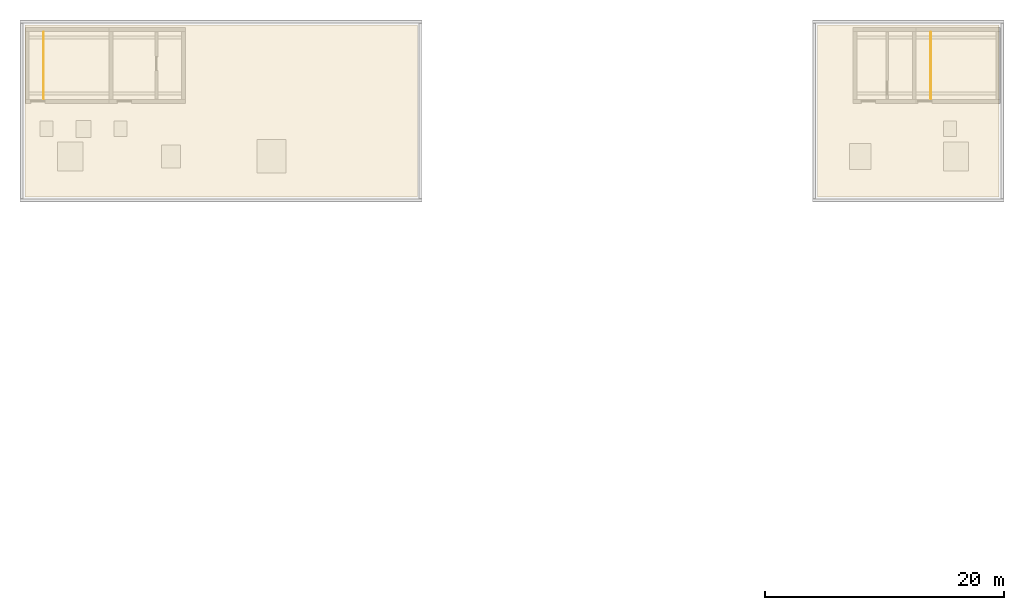
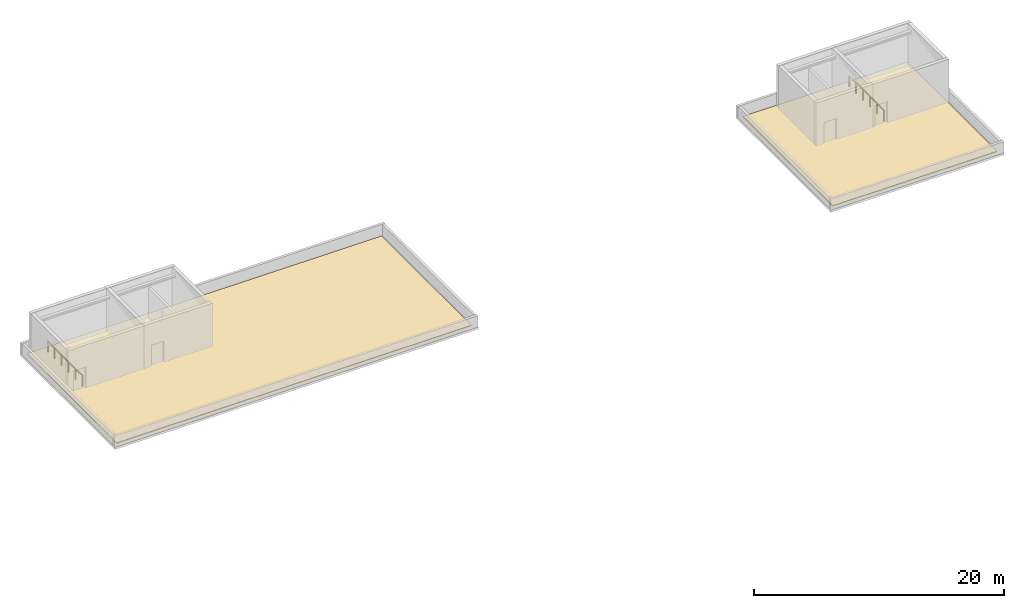
# One storey, part 19 of 19: 2 coverings, 2 railings.
"""IFC4 building model written with IfcOpenShell, lengths in metres."""

from ifc_helpers import new_model, si_unit, direction, frame, origin, origin_2d, place, context, subcontext, project, spatial, polyline, circle, outline, extrude, material, layer, layer_set, type_object, element, save


model = new_model("IFC4")

# Units and contexts
model_context = context("Model", 3, precision=1e-05, world=origin(), true_north=direction((0.0, 1.0)))
body_context = subcontext(model_context, "Body", "Model", "MODEL_VIEW")
ifc_project = project(units=[si_unit("LENGTHUNIT", "METRE"), si_unit("AREAUNIT", "SQUARE_METRE"), si_unit("VOLUMEUNIT", "CUBIC_METRE"), si_unit("PLANEANGLEUNIT", "RADIAN"), si_unit("MASSUNIT", "GRAM", prefix="KILO")], contexts=[model_context])

# Site, building, storey
site_placement = place(None, origin())
site = spatial("IfcSite", under=ifc_project, at=site_placement, CompositionType="ELEMENT")
building_placement = place(site_placement, origin())
building = spatial("IfcBuilding", under=site, at=building_placement, Name="Montecoro Central Library", CompositionType="ELEMENT")
storey_placement = place(building_placement, frame((0.0, 0.0, 25.5)))
storey = spatial("IfcBuildingStorey", under=building, at=storey_placement, Name="ROOF", CompositionType="ELEMENT", Elevation=25.5)

# Coverings
ifc_material_1 = material(Name="SBS modified bitumen insulated roofing")
ifc_layer = layer(ifc_material_1, 0.080078125)
ifc_layer_set = layer_set([ifc_layer], Name="SBS modified bitumen insulated roofing")
covering_type = type_object("IfcCoveringType", Name="COV-ROOF-080", PredefinedType="ROOFING", material=ifc_layer_set)
covering_1_placement = place(storey_placement, origin())
element("IfcCovering", 1, at=covering_1_placement, inside=storey, type_object=covering_type, Name="V2-ROOF-COV", PredefinedType="ROOFING", context=body_context, shape_type="SweptSolid", body=[
    extrude(outline(polyline([(75.199951171875, 104.199951171875), (108.0, 104.199951171875), (108.0, 118.60009765625), (75.199951171875, 118.60009765625), (75.199951171875, 104.199951171875)])), origin(), (0.0, 0.0, 1.0), 0.080078125),
])
covering_2_placement = place(storey_placement, origin())
element("IfcCovering", 2, at=covering_2_placement, inside=storey, type_object=covering_type, Name="V5-ROOF-COV", PredefinedType="ROOFING", context=body_context, shape_type="SweptSolid", body=[
    extrude(outline(polyline([(141.39990234375, 104.199951171875), (156.60009765625, 104.199951171875), (156.60009765625, 118.60009765625), (141.39990234375, 118.60009765625), (141.39990234375, 104.199951171875)])), origin(), (0.0, 0.0, 1.0), 0.080078125),
])

# Railings
ifc_material_2 = material(Name="Brushed stainless steel and bronze balustrade", Category="steel")
railing_type = type_object("IfcRailingType", Name="GRD-INT-110", PredefinedType="GUARDRAIL", material=ifc_material_2)
for number, where, name in (
    (3, (76.780029296875, 112.419921875, 0.0), "C2-ROOF-ELND-GRD"),
    (4, (150.8798828125, 112.419921875, 0.0), "C6-ROOF-ELND-GRD"),
):
    element("IfcRailing", number, at=place(storey_placement, frame(where)), inside=storey, type_object=railing_type, Name=name, PredefinedType="GUARDRAIL", context=body_context, shape_type="SweptSolid", body=[
        extrude(circle(Radius=0.02392578125, at=origin_2d()), frame((0.0, 0.0, 1.09619140625), z_axis=(0.0, 1.0, 0.0), x_axis=(-1.0, 0.0, 0.0)), (0.0, 0.0, 1.0), 5.56005859375),
        extrude(circle(Radius=0.02099609375, at=origin_2d()), origin(), (0.0, 0.0, 1.0), 1.072021484375),
        extrude(circle(Radius=0.02099609375, at=origin_2d()), frame((0.0, 1.112060546875, 0.0)), (0.0, 0.0, 1.0), 1.072021484375),
        extrude(circle(Radius=0.02099609375, at=origin_2d()), frame((0.0, 2.22412109375, 0.0)), (0.0, 0.0, 1.0), 1.072021484375),
        extrude(circle(Radius=0.02099609375, at=origin_2d()), frame((0.0, 3.3359375, 0.0)), (0.0, 0.0, 1.0), 1.072021484375),
        extrude(circle(Radius=0.02099609375, at=origin_2d()), frame((0.0, 4.447998046875, 0.0)), (0.0, 0.0, 1.0), 1.072021484375),
        extrude(circle(Radius=0.02099609375, at=origin_2d()), frame((0.0, 5.56005859375, 0.0)), (0.0, 0.0, 1.0), 1.072021484375),
    ])

save(model, "model.ifc")
